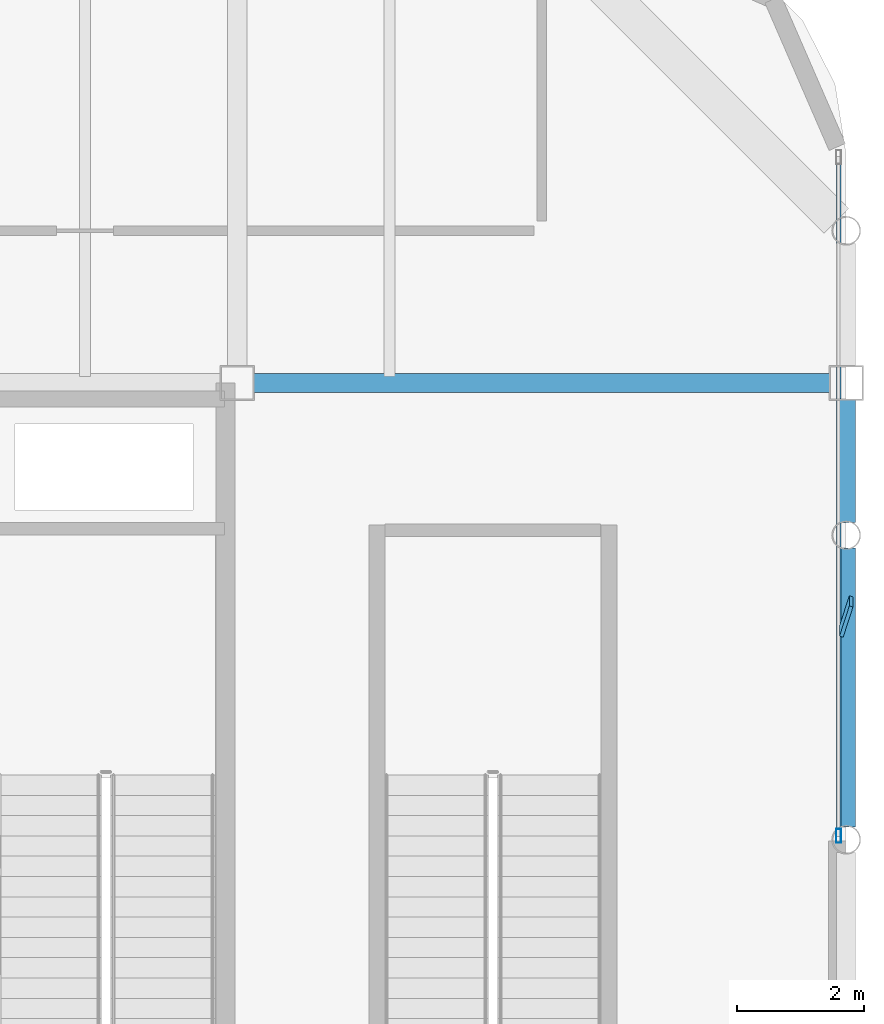
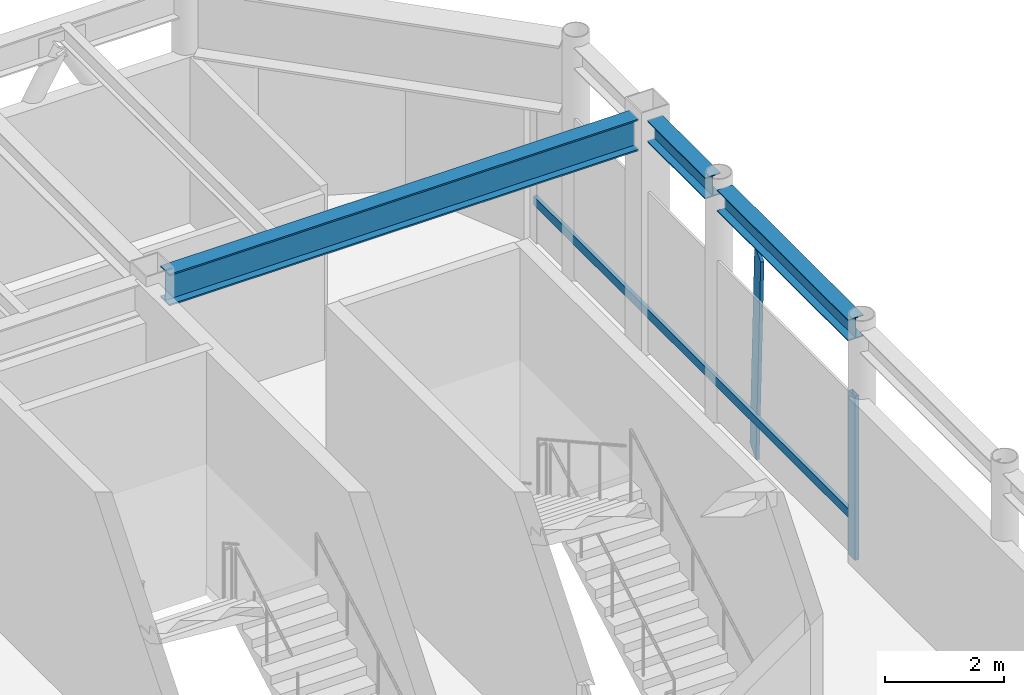
# One storey, part 11 of 21: 3 beams, 3 members, 1 element without a shape of its own.
"""IFC4 building model written with IfcOpenShell, lengths in metres."""

from ifc_helpers import new_model, si_unit, direction, frame, origin, origin_2d, place, context, subcontext, project, spatial, rectangle, hollow_rectangle, i_section, extrude, material, layer, layer_set, material_profile, profile_set, type_object, element, aggregate, save


model = new_model("IFC4")

# Units and contexts
model_context = context("Model", 3, precision=1e-05, world=origin(), true_north=direction((0.0, 1.0)))
body_context = subcontext(model_context, "Body", "Model", "MODEL_VIEW")
ifc_project = project(units=[si_unit("LENGTHUNIT", "METRE"), si_unit("AREAUNIT", "SQUARE_METRE"), si_unit("VOLUMEUNIT", "CUBIC_METRE"), si_unit("PLANEANGLEUNIT", "RADIAN"), si_unit("MASSUNIT", "GRAM", prefix="KILO")], contexts=[model_context])

# Site, building, storey
site_placement = place(None, origin())
site = spatial("IfcSite", under=ifc_project, at=site_placement, CompositionType="ELEMENT")
building_placement = place(site_placement, origin())
building = spatial("IfcBuilding", under=site, at=building_placement, Name="Kallvorn Hotel Tower", CompositionType="ELEMENT")
storey_placement = place(building_placement, frame((0.0, 0.0, 290.60009765625)))
storey = spatial("IfcBuildingStorey", under=building, at=storey_placement, Name="L72", CompositionType="ELEMENT", Elevation=290.60009765625)

# Beams
ifc_material_1 = material(Name="Structural steel S355JR", Category="steel")
ifc_material_profile_1 = material_profile(ifc_material_1, i_section(OverallWidth=0.300048828125, OverallDepth=0.43994140625, WebThickness=0.011474609375, FlangeThickness=0.02099609375, at=origin_2d()), Name="HE 450 A")
ifc_profile_set_1 = profile_set([ifc_material_profile_1], Name="Structural steel S355JR")
beam_type_1 = type_object("IfcBeamType", Name="BM_HE450A", PredefinedType="BEAM", material=ifc_profile_set_1)
beam_1_placement = place(storey_placement, frame((24.0, 0.20361328125, 4.579833984375), z_axis=(0.0, 1.0, 0.0), x_axis=(-1.0, 0.0, 0.0)))
element("IfcBeam", 1, at=beam_1_placement, inside=storey, type_object=beam_type_1, Name="L73 Primary Y-Girder 51", PredefinedType="BEAM", context=body_context, shape_type="SweptSolid", body=[
    extrude(i_section(OverallWidth=0.300048828125, OverallDepth=0.43994140625, WebThickness=0.011474609375, FlangeThickness=0.02099609375, at=origin_2d()), origin(), (0.0, 0.0, 1.0), 4.392822265625),
])
beam_2_placement = place(storey_placement, frame((24.0, 5.00341796875, 4.579833984375), z_axis=(0.0, 1.0, 0.0), x_axis=(-1.0, 0.0, 0.0)))
element("IfcBeam", 2, at=beam_2_placement, inside=storey, type_object=beam_type_1, Name="L73 Primary Y-Girder 52", PredefinedType="BEAM", context=body_context, shape_type="SweptSolid", body=[
    extrude(i_section(OverallWidth=0.300048828125, OverallDepth=0.43994140625, WebThickness=0.011474609375, FlangeThickness=0.02099609375, at=origin_2d()), origin(), (0.0, 0.0, 1.0), 1.946533203125),
])
ifc_material_2 = material(Name="Structural steel S355JR", Category="steel")
ifc_material_profile_2 = material_profile(ifc_material_2, i_section(OverallWidth=0.300048828125, OverallDepth=0.64990234375, WebThickness=0.01611328125, FlangeThickness=0.031005859375, at=origin_2d()), Name="HE 650 B")
ifc_profile_set_2 = profile_set([ifc_material_profile_2], Name="Structural steel S355JR")
beam_type_2 = type_object("IfcBeamType", Name="BM_HE650B", PredefinedType="BEAM", material=ifc_profile_set_2)
beam_3_placement = place(storey_placement, frame((14.64990234375, 7.199951171875, 4.474853515625), z_axis=(1.0, 0.0, 0.0), x_axis=(0.0, 1.0, 0.0)))
element("IfcBeam", 3, at=beam_3_placement, inside=storey, type_object=beam_type_2, Name="L73 Primary X-Girder 15", PredefinedType="BEAM", context=body_context, shape_type="SweptSolid", body=[
    extrude(i_section(OverallWidth=0.300048828125, OverallDepth=0.64990234375, WebThickness=0.01611328125, FlangeThickness=0.031005859375, at=origin_2d()), origin(), (0.0, 0.0, 1.0), 9.10009765625),
])

# Curtain wall, members
ifc_material_3 = material(Name="Thermally broken black-anodised aluminium AA 6063-T6", Category="aluminium")
ifc_layer = layer(ifc_material_3, 0.25)
ifc_layer_set = layer_set([ifc_layer], Name="CW_SYS_6_SUMMIT_OBS")
curtain_wall_type = type_object("IfcCurtainWallType", Name="CW_SYS_6_SUMMIT_OBS", PredefinedType="USERDEFINED", material=ifc_layer_set)
curtain_wall_placement = place(storey_placement, origin())
curtain_wall = element("IfcCurtainWall", 4, at=curtain_wall_placement, inside=storey, type_object=curtain_wall_type, Name="L72 Dark-Glass Curtain Wall CW-L72-EN", ObjectType="UNITISED CURTAIN WALL", PredefinedType="USERDEFINED")
ifc_material_4 = material(Name="Thermally broken black-anodised aluminium AA 6063-T6", Category="aluminium")
ifc_material_profile_3 = material_profile(ifc_material_4, hollow_rectangle(XDim=0.080078125, YDim=0.219970703125, WallThickness=0.0048828125, at=origin_2d()), Name="MUL 220x80")
ifc_profile_set_3 = profile_set([ifc_material_profile_3], Name="Thermally broken black-anodised aluminium AA 6063-T6")
member_type_1 = type_object("IfcMemberType", Name="CW_MULLION_220x80", PredefinedType="MULLION", material=ifc_profile_set_3)
member_1_placement = place(storey_placement, frame((23.8798828125, 0.06005859375, 0.02001953125), z_axis=(0.0, 0.0, 1.0), x_axis=(1.0, 0.0, 0.0)))
member_1 = element("IfcMember", 5, at=member_1_placement, type_object=member_type_1, Name="CW-L72-EN Mullion 00", PredefinedType="MULLION", context=body_context, shape_type="SweptSolid", body=[
    extrude(hollow_rectangle(XDim=0.080078125, YDim=0.219970703125, WallThickness=0.0048828125, at=origin_2d()), origin(), (0.0, 0.0, 1.0), 3.35986328125),
])
ifc_material_5 = material(Name="Thermally broken black-anodised aluminium AA 6063-T6", Category="aluminium")
ifc_material_profile_4 = material_profile(ifc_material_5, hollow_rectangle(XDim=0.070068359375, YDim=0.179931640625, WallThickness=0.00390625, at=origin_2d()), Name="TRN 180x70")
ifc_profile_set_4 = profile_set([ifc_material_profile_4], Name="Thermally broken black-anodised aluminium AA 6063-T6")
member_type_2 = type_object("IfcMemberType", Name="CW_TRANSOM_180x70", PredefinedType="USERDEFINED", material=ifc_profile_set_4)
member_2_placement = place(storey_placement, frame((23.8798828125, 0.06005859375, 0.849853515625), z_axis=(0.0, 1.0, 0.0), x_axis=(-1.0, 0.0, 0.0)))
member_2 = element("IfcMember", 6, at=member_2_placement, type_object=member_type_2, Name="CW-L72-EN Transom 00M", ObjectType="TRANSOM", PredefinedType="USERDEFINED", context=body_context, shape_type="SweptSolid", body=[
    extrude(hollow_rectangle(XDim=0.070068359375, YDim=0.179931640625, WallThickness=0.00390625, at=origin_2d()), origin(), (0.0, 0.0, 1.0), 10.699951171875),
])
aggregate(curtain_wall, [member_1, member_2])

# Member
ifc_material_6 = material(Name="Thermally broken black-anodised aluminium AA 6063-T6", Category="aluminium")
ifc_material_profile_5 = material_profile(ifc_material_6, rectangle(XDim=0.06005859375, YDim=0.5, at=origin_2d()), Name="FIN 500x60")
ifc_profile_set_5 = profile_set([ifc_material_profile_5], Name="Thermally broken black-anodised aluminium AA 6063-T6")
member_type_3 = type_object("IfcMemberType", Name="MBR_SUNSHADE_FIN", PredefinedType="USERDEFINED", material=ifc_profile_set_5)
member_3_placement = place(storey_placement, frame((24.0, 3.60009765625, 0.0), z_axis=(0.0, -0.038974952616, 0.999240187877), x_axis=(0.951056516295, -0.308782199516, -0.012043922713)))
element("IfcMember", 7, at=member_3_placement, inside=storey, type_object=member_type_3, Name="L72 Angled Vertical Sunshade Fin E1", ObjectType="SUNSHADE FIN", PredefinedType="USERDEFINED", context=body_context, shape_type="SweptSolid", body=[
    extrude(rectangle(XDim=0.06005859375, YDim=0.5, at=origin_2d()), origin(), (0.0, 0.0, 1.0), 4.153076171875),
])

save(model, "model.ifc")
